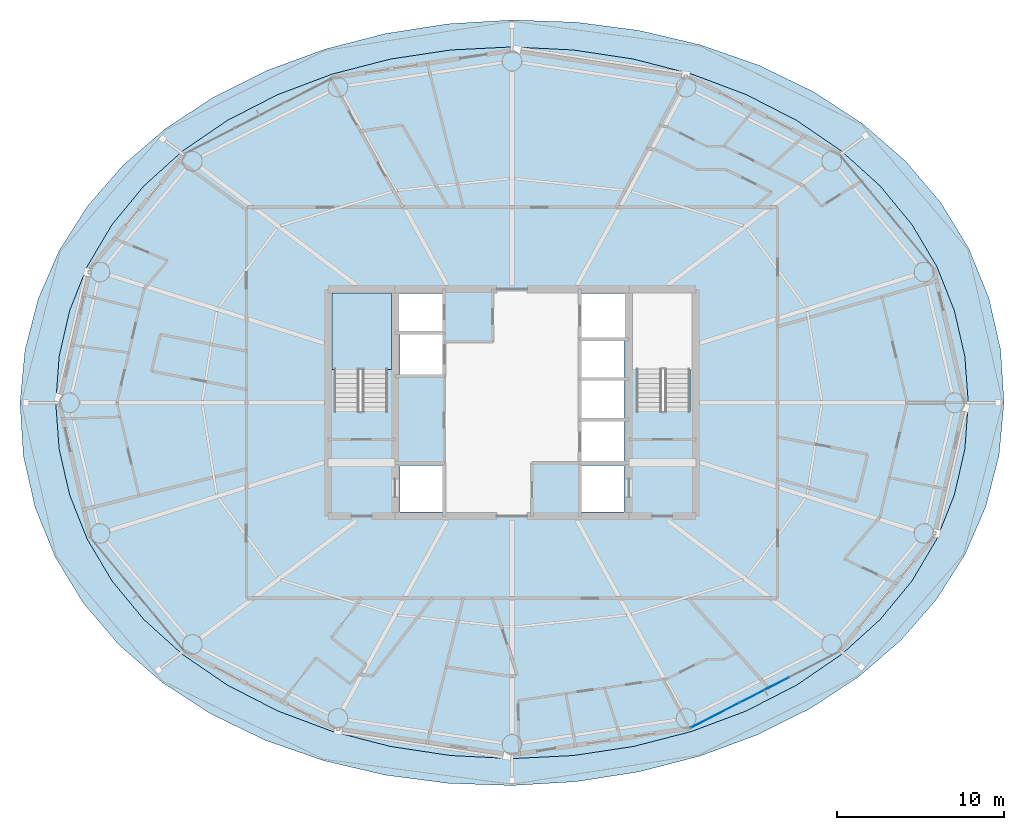
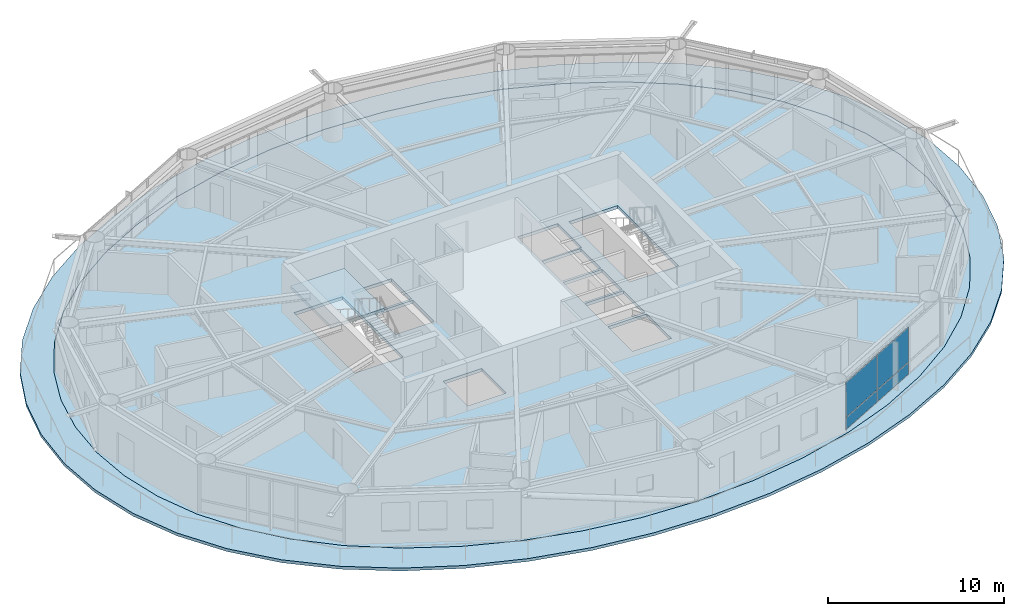
# One storey, part 17 of 27: 4 plates, 3 slabs, 2 elements without a shape of their own.
"""IFC4 building model written with IfcOpenShell, lengths in metres."""

from ifc_helpers import new_model, si_unit, direction, frame, origin, origin_2d, place, context, subcontext, project, spatial, polyline, rectangle, outline, extrude, material, layer, layer_set, type_object, element, aggregate, save


model = new_model("IFC4")

# Units and contexts
model_context = context("Model", 3, precision=1e-05, world=origin(), true_north=direction((0.0, 1.0)))
body_context = subcontext(model_context, "Body", "Model", "MODEL_VIEW")
ifc_project = project(units=[si_unit("LENGTHUNIT", "METRE"), si_unit("AREAUNIT", "SQUARE_METRE"), si_unit("VOLUMEUNIT", "CUBIC_METRE"), si_unit("PLANEANGLEUNIT", "RADIAN"), si_unit("MASSUNIT", "GRAM", prefix="KILO")], contexts=[model_context])

# Site, building, storey
site_placement = place(None, origin())
site = spatial("IfcSite", under=ifc_project, at=site_placement, CompositionType="ELEMENT")
building_placement = place(site_placement, origin())
building = spatial("IfcBuilding", under=site, at=building_placement, Name="Sarneth Arch Tower", CompositionType="ELEMENT")
storey_placement = place(building_placement, frame((0.0, 0.0, 186.60009765625)))
storey = spatial("IfcBuildingStorey", under=building, at=storey_placement, Name="L47", CompositionType="ELEMENT", Elevation=186.60009765625)

# Curtain wall, plates
ifc_material_1 = material(Name="Anodised aluminium Type AA25 and solar-control low-e laminated IGU", Category="aluminium")
ifc_layer_1 = layer(ifc_material_1, 0.169921875)
ifc_layer_set_1 = layer_set([ifc_layer_1], Name="Anodised aluminium Type AA25 and solar-control low-e laminated IGU")
curtain_wall_type = type_object("IfcCurtainWallType", Name="CW-RES-MID", PredefinedType="NOTDEFINED", material=ifc_layer_set_1)
curtain_wall_placement = place(storey_placement, origin())
curtain_wall = element("IfcCurtainWall", 1, at=curtain_wall_placement, inside=storey, type_object=curtain_wall_type, Name="L47 Unitised curtain wall facet 14", PredefinedType="NOTDEFINED")
ifc_material_2 = material(Name="Solar-control low-e laminated IGU", Category="glass")
ifc_layer_2 = layer(ifc_material_2, 0.028076171875)
ifc_layer_set_2 = layer_set([ifc_layer_2], Name="Solar-control low-e laminated IGU")
plate_type = type_object("IfcPlateType", Name="CW-PANEL", PredefinedType="CURTAIN_PANEL", material=ifc_layer_set_2)
plate_1_placement = place(storey_placement, frame((60.16162109375, 23.29296875, 0.059814453125), z_axis=(0.0, 0.0, 1.0), x_axis=(0.88987293003, 0.456208470329, 0.0)))
plate_1 = element("IfcPlate", 2, at=plate_1_placement, type_object=plate_type, Name="Curtain wall glazed vision pane CW-L47-F14/P00-00", PredefinedType="CURTAIN_PANEL", context=body_context, shape_type="SweptSolid", body=[
    extrude(rectangle(XDim=3.248779296875, YDim=0.028076171875, at=origin_2d()), origin(), (0.0, 0.0, 1.0), 0.81005859375),
])
plate_2_placement = place(storey_placement, frame((60.16162109375, 23.29296875, 0.93017578125), z_axis=(0.0, 0.0, 1.0), x_axis=(0.88987293003, 0.456208470329, 0.0)))
plate_2 = element("IfcPlate", 3, at=plate_2_placement, type_object=plate_type, Name="Curtain wall glazed vision pane CW-L47-F14/P00-01", PredefinedType="CURTAIN_PANEL", context=body_context, shape_type="SweptSolid", body=[
    extrude(rectangle(XDim=3.248779296875, YDim=0.028076171875, at=origin_2d()), origin(), (0.0, 0.0, 1.0), 2.389892578125),
])
plate_3_placement = place(storey_placement, frame((63.119384765625, 24.809326171875, 0.059814453125), z_axis=(0.0, 0.0, 1.0), x_axis=(0.88987293003, 0.456208470329, 0.0)))
plate_3 = element("IfcPlate", 4, at=plate_3_placement, type_object=plate_type, Name="Curtain wall glazed vision pane CW-L47-F14/P01-00", PredefinedType="CURTAIN_PANEL", context=body_context, shape_type="SweptSolid", body=[
    extrude(rectangle(XDim=3.27880859375, YDim=0.028076171875, at=origin_2d()), origin(), (0.0, 0.0, 1.0), 0.81005859375),
])
plate_4_placement = place(storey_placement, frame((63.119384765625, 24.809326171875, 0.93017578125), z_axis=(0.0, 0.0, 1.0), x_axis=(0.88987293003, 0.456208470329, 0.0)))
plate_4 = element("IfcPlate", 5, at=plate_4_placement, type_object=plate_type, Name="Curtain wall glazed vision pane CW-L47-F14/P01-01", PredefinedType="CURTAIN_PANEL", context=body_context, shape_type="SweptSolid", body=[
    extrude(rectangle(XDim=3.27880859375, YDim=0.028076171875, at=origin_2d()), origin(), (0.0, 0.0, 1.0), 2.389892578125),
])
aggregate(curtain_wall, [plate_1, plate_2, plate_3, plate_4])

# Slab
ifc_material_3 = material(Name="Concrete C50/60", Category="concrete")
ifc_layer_3 = layer(ifc_material_3, 0.199951171875)
ifc_layer_set_3 = layer_set([ifc_layer_3], Name="Concrete C50/60")
slab_type_1 = type_object("IfcSlabType", Name="SLAB-BALC-200", PredefinedType="FLOOR", material=ifc_layer_set_3)
slab_1_placement = place(storey_placement, frame((0.0, 0.0, -0.2001953125)))
element("IfcSlab", 6, at=slab_1_placement, inside=storey, type_object=slab_type_1, Name="L47 Helical balcony band slab", PredefinedType="FLOOR", context=body_context, shape_type="SweptSolid", body=[
    extrude(outline(polyline([(77.451171875, 42.0), (77.25048828125, 45.1630859375), (76.547607421875, 48.26171875), (75.34912109375, 51.220947265625), (73.669677734375, 53.979248046875), (71.53271484375, 56.488525390625), (68.97314453125, 58.712158203125), (66.038818359375, 60.62158203125), (62.78955078125, 62.195556640625), (59.29296875, 63.419189453125), (55.61865234375, 64.2822265625), (51.833740234375, 64.780029296875), (48.0, 64.912109375), (44.17626953125, 64.681640625), (40.419189453125, 64.094970703125), (36.787841796875, 63.161376953125), (33.3427734375, 61.892578125), (30.146240234375, 60.30224609375), (27.256591796875, 58.40673828125), (24.72509765625, 56.224609375), (22.592041015625, 53.776611328125), (20.88671875, 51.08935546875), (19.6318359375, 48.196533203125), (18.846923828125, 45.145751953125), (18.548828125, 42.0), (18.74951171875, 38.8369140625), (19.452392578125, 35.73828125), (20.65087890625, 32.779052734375), (22.330322265625, 30.020751953125), (24.46728515625, 27.511474609375), (27.02685546875, 25.287841796875), (29.961181640625, 23.37841796875), (33.21044921875, 21.804443359375), (36.70703125, 20.580810546875), (40.38134765625, 19.7177734375), (44.166259765625, 19.219970703125), (48.0, 19.087890625), (51.82373046875, 19.318359375), (55.580810546875, 19.905029296875), (59.212158203125, 20.838623046875), (62.6572265625, 22.107421875), (65.853759765625, 23.69775390625), (68.743408203125, 25.59326171875), (71.27490234375, 27.775390625), (73.407958984375, 30.223388671875), (75.11328125, 32.91064453125), (76.3681640625, 35.803466796875), (77.153076171875, 38.854248046875), (77.451171875, 42.0)]), holes=[polyline([(75.313232421875, 42.0), (75.10595703125, 44.7802734375), (74.48095703125, 47.512939453125), (73.431396484375, 50.151123046875), (71.9521484375, 52.64990234375), (70.0458984375, 54.966552734375), (67.730712890625, 57.061279296875), (65.04052734375, 58.8984375), (62.025390625, 60.4462890625), (58.7470703125, 61.6787109375), (55.27197265625, 62.57421875), (51.667724609375, 63.11767578125), (48.0, 63.300048828125), (44.332275390625, 63.11767578125), (40.72802734375, 62.57421875), (37.2529296875, 61.6787109375), (33.974609375, 60.4462890625), (30.95947265625, 58.8984375), (28.269287109375, 57.061279296875), (25.9541015625, 54.966552734375), (24.0478515625, 52.64990234375), (22.568603515625, 50.151123046875), (21.51904296875, 47.512939453125), (20.89404296875, 44.7802734375), (20.686767578125, 42.0), (20.89404296875, 39.2197265625), (21.51904296875, 36.487060546875), (22.568603515625, 33.848876953125), (24.0478515625, 31.35009765625), (25.9541015625, 29.033447265625), (28.269287109375, 26.938720703125), (30.95947265625, 25.1015625), (33.974609375, 23.5537109375), (37.2529296875, 22.3212890625), (40.72802734375, 21.42578125), (44.332275390625, 20.88232421875), (48.0, 20.699951171875), (51.667724609375, 20.88232421875), (55.27197265625, 21.42578125), (58.7470703125, 22.3212890625), (62.025390625, 23.5537109375), (65.04052734375, 25.1015625), (67.730712890625, 26.938720703125), (70.0458984375, 29.033447265625), (71.9521484375, 31.35009765625), (73.431396484375, 33.848876953125), (74.48095703125, 36.487060546875), (75.10595703125, 39.2197265625), (75.313232421875, 42.0)])]), origin(), (0.0, 0.0, 1.0), 0.2001953125),
])

# Stair, slab
ifc_material_4 = material(Name="Concrete C50/60", Category="concrete")
stair_type = type_object("IfcStairType", Name="STAIR-CORE-RC", PredefinedType="HALF_TURN_STAIR", material=ifc_material_4)
stair_placement = place(storey_placement, origin())
stair = element("IfcStair", 7, at=stair_placement, inside=storey, type_object=stair_type, Name="L47 Core Exit Stair 1", PredefinedType="HALF_TURN_STAIR")
ifc_material_5 = material(Name="Concrete C50/60", Category="concrete")
ifc_layer_4 = layer(ifc_material_5, 0.199951171875)
ifc_layer_set_4 = layer_set([ifc_layer_4], Name="Concrete C50/60")
slab_type_2 = type_object("IfcSlabType", Name="SLAB-LANDING-200", PredefinedType="LANDING", material=ifc_layer_set_4)
slab_2_placement = place(storey_placement, frame((0.0, 0.0, 1.599853515625)))
slab_2 = element("IfcSlab", 8, at=slab_2_placement, type_object=slab_type_2, Name="ST-1 landing 1", PredefinedType="LANDING", context=body_context, shape_type="SweptSolid", body=[
    extrude(outline(polyline([(37.22509765625, 43.985107421875), (40.77490234375, 43.985107421875), (40.77490234375, 48.574951171875), (37.22509765625, 48.574951171875), (37.22509765625, 43.985107421875)])), origin(), (0.0, 0.0, 1.0), 0.199951171875),
])
aggregate(stair, [slab_2])

# Slab
ifc_material_6 = material(Name="Concrete C50/60", Category="concrete")
ifc_layer_5 = layer(ifc_material_6, 0.219970703125)
ifc_layer_set_5 = layer_set([ifc_layer_5], Name="Concrete C50/60")
slab_type_3 = type_object("IfcSlabType", Name="SLAB-TOWER-220", PredefinedType="FLOOR", material=ifc_layer_set_5)
slab_3_placement = place(storey_placement, frame((0.0, 0.0, -0.22021484375)))
element("IfcSlab", 9, at=slab_3_placement, inside=storey, type_object=slab_type_3, Name="L47 Elliptical floor slab", PredefinedType="FLOOR", context=body_context, shape_type="SweptSolid", body=[
    extrude(outline(polyline([(75.313232421875, 42.0), (75.10595703125, 44.7802734375), (74.48095703125, 47.512939453125), (73.431396484375, 50.151123046875), (71.9521484375, 52.64990234375), (70.0458984375, 54.966552734375), (67.730712890625, 57.061279296875), (65.04052734375, 58.8984375), (62.025390625, 60.4462890625), (58.7470703125, 61.6787109375), (55.27197265625, 62.57421875), (51.667724609375, 63.11767578125), (48.0, 63.300048828125), (44.332275390625, 63.11767578125), (40.72802734375, 62.57421875), (37.2529296875, 61.6787109375), (33.974609375, 60.4462890625), (30.95947265625, 58.8984375), (28.269287109375, 57.061279296875), (25.9541015625, 54.966552734375), (24.0478515625, 52.64990234375), (22.568603515625, 50.151123046875), (21.51904296875, 47.512939453125), (20.89404296875, 44.7802734375), (20.686767578125, 42.0), (20.89404296875, 39.2197265625), (21.51904296875, 36.487060546875), (22.568603515625, 33.848876953125), (24.0478515625, 31.35009765625), (25.9541015625, 29.033447265625), (28.269287109375, 26.938720703125), (30.95947265625, 25.1015625), (33.974609375, 23.5537109375), (37.2529296875, 22.3212890625), (40.72802734375, 21.42578125), (44.332275390625, 20.88232421875), (48.0, 20.699951171875), (51.667724609375, 20.88232421875), (55.27197265625, 21.42578125), (58.7470703125, 22.3212890625), (62.025390625, 23.5537109375), (65.04052734375, 25.1015625), (67.730712890625, 26.938720703125), (70.0458984375, 29.033447265625), (71.9521484375, 31.35009765625), (73.431396484375, 33.848876953125), (74.48095703125, 36.487060546875), (75.10595703125, 39.2197265625), (75.313232421875, 42.0)]), holes=[polyline([(37.35009765625, 41.489990234375), (40.550048828125, 41.489990234375), (40.550048828125, 48.39990234375), (37.35009765625, 48.39990234375), (37.35009765625, 41.489990234375)]), polyline([(55.449951171875, 41.489990234375), (58.64990234375, 41.489990234375), (58.64990234375, 48.39990234375), (55.449951171875, 48.39990234375), (55.449951171875, 41.489990234375)]), polyline([(41.199951171875, 46.25), (43.85009765625, 46.25), (43.85009765625, 48.550048828125), (41.199951171875, 48.550048828125), (41.199951171875, 46.25)]), polyline([(41.300048828125, 35.449951171875), (43.85009765625, 35.449951171875), (43.85009765625, 38.25), (41.300048828125, 38.25), (41.300048828125, 35.449951171875)]), polyline([(52.14990234375, 35.449951171875), (54.699951171875, 35.449951171875), (54.699951171875, 38.25), (52.14990234375, 38.25), (52.14990234375, 35.449951171875)]), polyline([(52.14990234375, 45.85009765625), (54.800048828125, 45.85009765625), (54.800048828125, 48.550048828125), (52.14990234375, 48.550048828125), (52.14990234375, 45.85009765625)]), polyline([(41.300048828125, 43.64990234375), (43.85009765625, 43.64990234375), (43.85009765625, 46.10009765625), (41.300048828125, 46.10009765625), (41.300048828125, 43.64990234375)]), polyline([(52.14990234375, 38.449951171875), (54.699951171875, 38.449951171875), (54.699951171875, 40.89990234375), (52.14990234375, 40.89990234375), (52.14990234375, 38.449951171875)]), polyline([(52.14990234375, 41.050048828125), (54.699951171875, 41.050048828125), (54.699951171875, 43.35009765625), (52.14990234375, 43.35009765625), (52.14990234375, 41.050048828125)]), polyline([(52.14990234375, 43.5), (54.699951171875, 43.5), (54.699951171875, 45.75), (52.14990234375, 45.75), (52.14990234375, 43.5)])]), origin(), (0.0, 0.0, 1.0), 0.22021484375),
])

save(model, "model.ifc")
